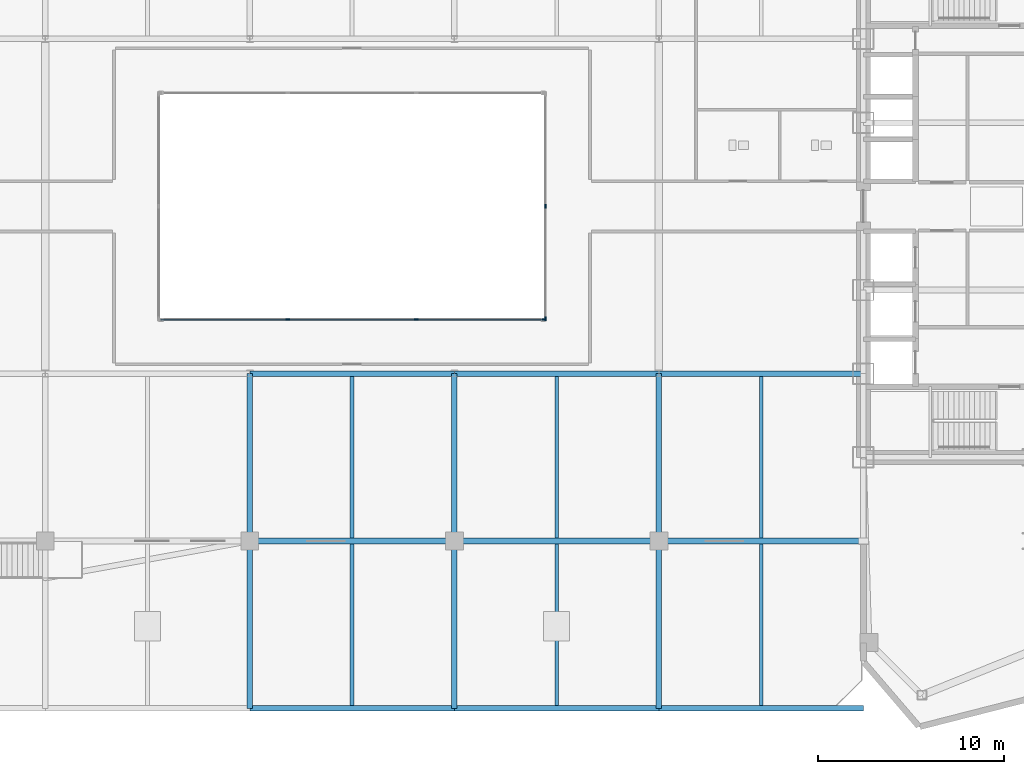
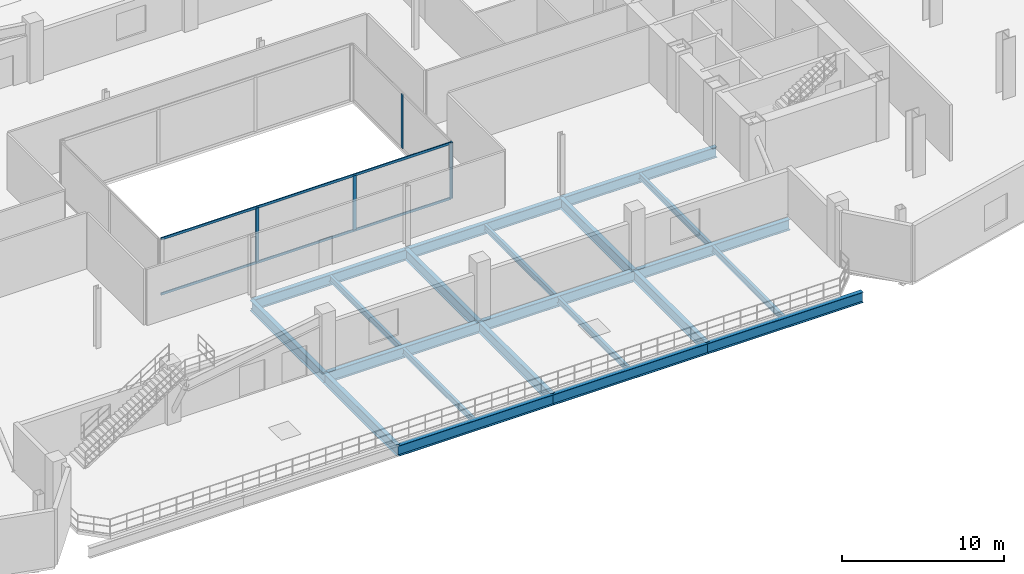
# One storey, part 13 of 27: 21 beams, 7 members, 2 elements without a shape of their own.
"""IFC4 building model written with IfcOpenShell, lengths in metres."""

from ifc_helpers import new_model, si_unit, direction, frame, origin, origin_2d, place, context, subcontext, project, spatial, rectangle, i_section, extrude, source, transform, mapped, material, layer, layer_set, material_profile, profile_set, type_object, type_shapes, element, aggregate, save


model = new_model("IFC4")

# Units and contexts
model_context = context("Model", 3, precision=1e-05, world=origin(), true_north=direction((0.0, 1.0)))
body_context = subcontext(model_context, "Body", "Model", "MODEL_VIEW")
ifc_project = project(units=[si_unit("LENGTHUNIT", "METRE"), si_unit("AREAUNIT", "SQUARE_METRE"), si_unit("VOLUMEUNIT", "CUBIC_METRE"), si_unit("PLANEANGLEUNIT", "RADIAN"), si_unit("MASSUNIT", "GRAM", prefix="KILO")], contexts=[model_context])

# Site, building, storey
site_placement = place(None, origin())
site = spatial("IfcSite", under=ifc_project, at=site_placement, CompositionType="ELEMENT")
building_placement = place(site_placement, origin())
building = spatial("IfcBuilding", under=site, at=building_placement, Name="Seokmaru Belvedere", CompositionType="ELEMENT")
storey_placement = place(building_placement, frame((0.0, 0.0, 9.89990234375)))
storey = spatial("IfcBuildingStorey", under=building, at=storey_placement, Name="L02", CompositionType="ELEMENT", Elevation=9.89990234375)

# Beams
ifc_material_1 = material(Name="Steel SM355 (355 MPa)", Category="steel")
ifc_material_profile_1 = material_profile(ifc_material_1, i_section(OverallWidth=0.300048828125, OverallDepth=0.800048828125, WebThickness=0.013916015625, FlangeThickness=0.02587890625, at=origin_2d()), Name="H-800x300x14x26")
ifc_profile_set_1 = profile_set([ifc_material_profile_1], Name="Steel SM355 (355 MPa)")
beam_type_1 = type_object("IfcBeamType", Name="Podium Primary Girder H-800", PredefinedType="BEAM", material=ifc_profile_set_1)
shared_shape_1 = source(origin(), body_context, "Body", "SweptSolid", [
    extrude(i_section(OverallWidth=0.300048828125, OverallDepth=0.800048828125, WebThickness=0.013916015625, FlangeThickness=0.02587890625, at=origin_2d()), origin(), (0.0, 0.0, 1.0), 9.0),
])
for number, where, z_axis, x_axis, name in (
    (1, (-5.5, -27.0, -0.679931640625), (0.0, 1.0, 0.0), (-1.0, 0.0, 0.0), "L02 Central Podium Transverse Girder 2-1"),
    (2, (-5.5, -18.0, -0.679931640625), (0.0, 1.0, 0.0), (-1.0, 0.0, 0.0), "L02 Central Podium Transverse Girder 2-2"),
    (3, (5.5, -27.0, -0.679931640625), (0.0, 1.0, 0.0), (-1.0, 0.0, 0.0), "L02 Central Podium Transverse Girder 3-1"),
    (4, (5.5, -18.0, -0.679931640625), (0.0, 1.0, 0.0), (-1.0, 0.0, 0.0), "L02 Central Podium Transverse Girder 3-2"),
    (5, (16.5, -27.0, -0.679931640625), (0.0, 1.0, 0.0), (-1.0, 0.0, 0.0), "L02 Central Podium Transverse Girder 4-1"),
    (6, (16.5, -18.0, -0.679931640625), (0.0, 1.0, 0.0), (-1.0, 0.0, 0.0), "L02 Central Podium Transverse Girder 4-2"),
):
    element("IfcBeam", number, at=place(storey_placement, frame(where, z_axis=z_axis, x_axis=x_axis)), inside=storey, type_object=beam_type_1, Name=name, PredefinedType="BEAM", context=body_context, shape_type="MappedRepresentation", body=[
        mapped(shared_shape_1, transform((0.0, 0.0, 0.0), scale=1.0)),
    ])
ifc_material_profile_2 = material_profile(ifc_material_1, i_section(OverallWidth=0.199951171875, OverallDepth=0.449951171875, WebThickness=0.009033203125, FlangeThickness=0.013916015625, at=origin_2d()), Name="H-450x200x9x14")
ifc_profile_set_2 = profile_set([ifc_material_profile_2], Name="Steel SM355 (355 MPa)")
beam_type_2 = type_object("IfcBeamType", Name="Podium Secondary Joist H-450", PredefinedType="JOIST", material=ifc_profile_set_2)
shared_shape_2 = source(origin(), body_context, "Body", "SweptSolid", [
    extrude(i_section(OverallWidth=0.199951171875, OverallDepth=0.449951171875, WebThickness=0.009033203125, FlangeThickness=0.013916015625, at=origin_2d()), origin(), (0.0, 0.0, 1.0), 8.68994140625),
])
type_shapes(beam_type_2, [shared_shape_2])
for number, where, z_axis, x_axis, name in (
    (7, (0.0, -26.844970703125, -0.5048828125), (0.0, 1.0, 0.0), (-1.0, 0.0, 0.0), "L02 Central Podium Secondary Joist 3-1"),
    (8, (0.0, -17.844970703125, -0.5048828125), (0.0, 1.0, 0.0), (-1.0, 0.0, 0.0), "L02 Central Podium Secondary Joist 3-2"),
    (9, (11.0, -26.844970703125, -0.5048828125), (0.0, 1.0, 0.0), (-1.0, 0.0, 0.0), "L02 Central Podium Secondary Joist 4-1"),
    (10, (11.0, -17.844970703125, -0.5048828125), (0.0, 1.0, 0.0), (-1.0, 0.0, 0.0), "L02 Central Podium Secondary Joist 4-2"),
    (11, (22.0, -26.844970703125, -0.5048828125), (0.0, 1.0, 0.0), (-1.0, 0.0, 0.0), "L02 Central Podium Secondary Joist 5-1"),
    (12, (22.0, -17.844970703125, -0.5048828125), (0.0, 1.0, 0.0), (-1.0, 0.0, 0.0), "L02 Central Podium Secondary Joist 5-2"),
):
    element("IfcBeam", number, at=place(storey_placement, frame(where, z_axis=z_axis, x_axis=x_axis)), inside=storey, type_object=beam_type_2, Name=name, PredefinedType="JOIST", context=body_context, shape_type="MappedRepresentation", body=[
        mapped(shared_shape_2, transform((0.0, 0.0, 0.0), scale=1.0)),
    ])
shared_shape_3 = source(origin(), body_context, "Body", "SweptSolid", [
    extrude(i_section(OverallWidth=0.300048828125, OverallDepth=0.800048828125, WebThickness=0.013916015625, FlangeThickness=0.02587890625, at=origin_2d()), origin(), (0.0, 0.0, 1.0), 11.0),
])
type_shapes(beam_type_1, [shared_shape_1, shared_shape_3])
for number, where, z_axis, x_axis, name in (
    (13, (-5.5, -27.0, -0.679931640625), (1.0, 0.0, 0.0), (0.0, 1.0, 0.0), "L02 Central Podium Girder 1-3"),
    (14, (5.5, -27.0, -0.679931640625), (1.0, 0.0, 0.0), (0.0, 1.0, 0.0), "L02 Central Podium Girder 1-4"),
    (15, (16.5, -27.0, -0.679931640625), (1.0, 0.0, 0.0), (0.0, 1.0, 0.0), "L02 Central Podium Girder 1-5"),
    (16, (-5.5, -18.0, -0.679931640625), (1.0, 0.0, 0.0), (0.0, 1.0, 0.0), "L02 Central Podium Girder 2-3"),
    (17, (5.5, -18.0, -0.679931640625), (1.0, 0.0, 0.0), (0.0, 1.0, 0.0), "L02 Central Podium Girder 2-4"),
    (18, (16.5, -18.0, -0.679931640625), (1.0, 0.0, 0.0), (0.0, 1.0, 0.0), "L02 Central Podium Girder 2-5"),
    (19, (-5.5, -9.0, -0.679931640625), (1.0, 0.0, 0.0), (0.0, 1.0, 0.0), "L02 Central Podium Girder 3-3"),
    (20, (5.5, -9.0, -0.679931640625), (1.0, 0.0, 0.0), (0.0, 1.0, 0.0), "L02 Central Podium Girder 3-4"),
    (21, (16.5, -9.0, -0.679931640625), (1.0, 0.0, 0.0), (0.0, 1.0, 0.0), "L02 Central Podium Girder 3-5"),
):
    element("IfcBeam", number, at=place(storey_placement, frame(where, z_axis=z_axis, x_axis=x_axis)), inside=storey, type_object=beam_type_1, Name=name, PredefinedType="BEAM", context=body_context, shape_type="MappedRepresentation", body=[
        mapped(shared_shape_3, transform((0.0, 0.0, 0.0), scale=1.0)),
    ])

# Curtain wall, member
ifc_material_2 = material(Name="Bronze Triple Insulating Glass", Category="glass")
ifc_layer = layer(ifc_material_2, 0.219970703125)
ifc_layer_set = layer_set([ifc_layer], Name="Bronze Triple Insulating Glass")
curtain_wall_type = type_object("IfcCurtainWallType", Name="Podium Concourse Curtain Wall System CW-1", PredefinedType="NOTDEFINED", material=ifc_layer_set)
curtain_wall_1_placement = place(storey_placement, origin())
curtain_wall_1 = element("IfcCurtainWall", 22, at=curtain_wall_1_placement, inside=storey, type_object=curtain_wall_type, Name="L02 Curtain Wall AT_S", PredefinedType="NOTDEFINED")
ifc_material_3 = material(Name="Anodised Bronze Aluminium", Category="aluminium")
ifc_material_profile_3 = material_profile(ifc_material_3, rectangle(XDim=0.080078125, YDim=0.219970703125, at=origin_2d()), Name="CW-M-80x220")
ifc_profile_set_3 = profile_set([ifc_material_profile_3], Name="Anodised Bronze Aluminium")
member_type_1 = type_object("IfcMemberType", Name="Bronze Unitised Mullion 80x220", PredefinedType="MULLION", material=ifc_profile_set_3)
shared_shape_4 = source(origin(), body_context, "Body", "SweptSolid", [
    extrude(rectangle(XDim=0.080078125, YDim=0.219970703125, at=origin_2d()), origin(), (0.0, 0.0, 1.0), 4.22021484375),
])
member_1_placement = place(storey_placement, frame((10.340087890625, -6.10009765625, 0.0), z_axis=(0.0, 0.0, 1.0), x_axis=(0.0, 1.0, 0.0)))
member_1 = element("IfcMember", 23, at=member_1_placement, type_object=member_type_1, Name="CW:L02:AT_S Mullion 4", PredefinedType="MULLION", context=body_context, shape_type="MappedRepresentation", body=[
    mapped(shared_shape_4, transform((0.0, 0.0, 0.0), scale=1.0)),
])

curtain_wall_2_placement = place(storey_placement, origin())
curtain_wall_2 = element("IfcCurtainWall", 24, at=curtain_wall_2_placement, inside=storey, type_object=curtain_wall_type, Name="L02 Curtain Wall AT_E", PredefinedType="NOTDEFINED")
member_2_placement = place(storey_placement, frame((10.39990234375, -6.0400390625, 0.0), z_axis=(0.0, 0.0, 1.0), x_axis=(-1.0, 0.0, 0.0)))
member_2 = element("IfcMember", 25, at=member_2_placement, type_object=member_type_1, Name="CW:L02:AT_E Mullion 1", PredefinedType="MULLION", context=body_context, shape_type="MappedRepresentation", body=[
    mapped(shared_shape_4, transform((0.0, 0.0, 0.0), scale=1.0)),
])

# Member
shared_shape_5 = source(origin(), body_context, "Body", "SweptSolid", [
    extrude(rectangle(XDim=0.080078125, YDim=0.219970703125, at=origin_2d()), origin(), (0.0, 0.0, 1.0), 4.06982421875),
])
type_shapes(member_type_1, [shared_shape_4, shared_shape_5])
member_3_placement = place(storey_placement, frame((-3.4599609375, -6.10009765625, 0.0751953125), z_axis=(0.0, 0.0, 1.0), x_axis=(0.0, 1.0, 0.0)))
member_3 = element("IfcMember", 26, at=member_3_placement, type_object=member_type_1, Name="CW:L02:AT_S Mullion 2", PredefinedType="MULLION", context=body_context, shape_type="MappedRepresentation", body=[
    mapped(shared_shape_5, transform((0.0, 0.0, 0.0), scale=1.0)),
])

member_4_placement = place(storey_placement, frame((3.4599609375, -6.10009765625, 0.0751953125), z_axis=(0.0, 0.0, 1.0), x_axis=(0.0, 1.0, 0.0)))
member_4 = element("IfcMember", 27, at=member_4_placement, type_object=member_type_1, Name="CW:L02:AT_S Mullion 3", PredefinedType="MULLION", context=body_context, shape_type="MappedRepresentation", body=[
    mapped(shared_shape_5, transform((0.0, 0.0, 0.0), scale=1.0)),
])

member_5_placement = place(storey_placement, frame((10.39990234375, 0.0, 0.0751953125), z_axis=(0.0, 0.0, 1.0), x_axis=(-1.0, 0.0, 0.0)))
member_5 = element("IfcMember", 28, at=member_5_placement, type_object=member_type_1, Name="CW:L02:AT_E Mullion 2", PredefinedType="MULLION", context=body_context, shape_type="MappedRepresentation", body=[
    mapped(shared_shape_5, transform((0.0, 0.0, 0.0), scale=1.0)),
])

aggregate(curtain_wall_2, [member_2, member_5])

ifc_material_profile_4 = material_profile(ifc_material_3, rectangle(XDim=0.074951171875, YDim=0.179931640625, at=origin_2d()), Name="CW-T-75x180")
ifc_profile_set_4 = profile_set([ifc_material_profile_4], Name="Anodised Bronze Aluminium")
member_type_2 = type_object("IfcMemberType", Name="Bronze Unitised Transom 75x180", PredefinedType="USERDEFINED", material=ifc_profile_set_4)
shared_shape_6 = source(origin(), body_context, "Body", "SweptSolid", [
    extrude(rectangle(XDim=0.074951171875, YDim=0.179931640625, at=origin_2d()), origin(), (0.0, 0.0, 1.0), 20.60009765625),
])
type_shapes(member_type_2, [shared_shape_6])
member_6_placement = place(storey_placement, frame((-10.300048828125, -6.10009765625, 0.03759765625), z_axis=(1.0, 0.0, 0.0), x_axis=(0.0, 1.0, 0.0)))
member_6 = element("IfcMember", 29, at=member_6_placement, type_object=member_type_2, Name="CW:L02:AT_S Continuous Transom 1", ObjectType="TRANSOM", PredefinedType="USERDEFINED", context=body_context, shape_type="MappedRepresentation", body=[
    mapped(shared_shape_6, transform((0.0, 0.0, 0.0), scale=1.0)),
])

member_7_placement = place(storey_placement, frame((-10.300048828125, -6.10009765625, 4.1826171875), z_axis=(1.0, 0.0, 0.0), x_axis=(0.0, 1.0, 0.0)))
member_7 = element("IfcMember", 30, at=member_7_placement, type_object=member_type_2, Name="CW:L02:AT_S Continuous Transom 2", ObjectType="TRANSOM", PredefinedType="USERDEFINED", context=body_context, shape_type="MappedRepresentation", body=[
    mapped(shared_shape_6, transform((0.0, 0.0, 0.0), scale=1.0)),
])

aggregate(curtain_wall_1, [member_3, member_4, member_1, member_6, member_7])

save(model, "model.ifc")
